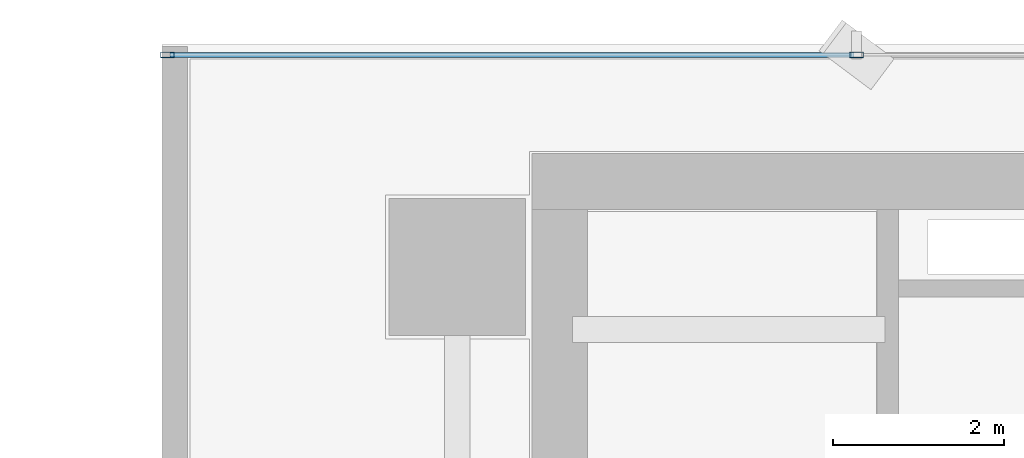
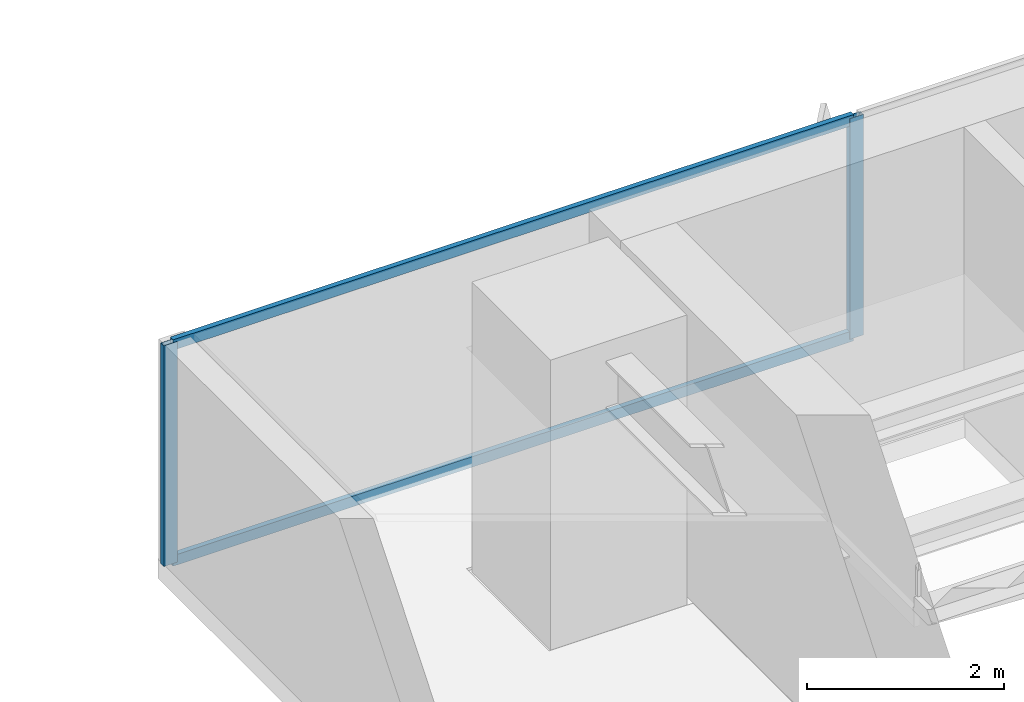
# One storey, part 20 of 37: 4 members, 1 element without a shape of its own.
"""IFC4 building model written with IfcOpenShell, lengths in metres."""

from ifc_helpers import new_model, si_unit, direction, frame, origin, origin_2d, place, context, subcontext, project, spatial, hollow_rectangle, extrude, source, transform, mapped, material, layer, layer_set, material_profile, profile_set, type_object, element, aggregate, save


model = new_model("IFC4")

# Units and contexts
model_context = context("Model", 3, precision=1e-05, world=origin(), true_north=direction((0.0, 1.0)))
body_context = subcontext(model_context, "Body", "Model", "MODEL_VIEW")
ifc_project = project(units=[si_unit("LENGTHUNIT", "METRE"), si_unit("AREAUNIT", "SQUARE_METRE"), si_unit("VOLUMEUNIT", "CUBIC_METRE"), si_unit("PLANEANGLEUNIT", "RADIAN"), si_unit("MASSUNIT", "GRAM", prefix="KILO")], contexts=[model_context])

# Site, building, storey
site_placement = place(None, origin())
site = spatial("IfcSite", under=ifc_project, at=site_placement, CompositionType="ELEMENT")
building_placement = place(site_placement, origin())
building = spatial("IfcBuilding", under=site, at=building_placement, Name="Sumidabori Civic Tower", CompositionType="ELEMENT")
storey_placement = place(building_placement, frame((0.0, 0.0, 95.60009765625)))
storey = spatial("IfcBuildingStorey", under=building, at=storey_placement, Name="L24", CompositionType="ELEMENT", Elevation=95.60009765625)

# Curtain wall, members
ifc_material = material(Name="Anodised Bronze Aluminium AW-6063-T6", Category="aluminium")
ifc_layer = layer(ifc_material, 0.179931640625, Name="Anodised Bronze Aluminium AW-6063-T6")
ifc_layer_set = layer_set([ifc_layer], Name="Anodised Bronze Aluminium AW-6063-T6")
curtain_wall_type = type_object("IfcCurtainWallType", Name="CW-SYS-3", PredefinedType="NOTDEFINED", material=ifc_layer_set)
curtain_wall_placement = place(storey_placement, origin())
curtain_wall = element("IfcCurtainWall", 1, at=curtain_wall_placement, inside=storey, type_object=curtain_wall_type, Name="Curtain Wall CW:L24:R07", PredefinedType="NOTDEFINED")
ifc_material_profile_1 = material_profile(ifc_material, hollow_rectangle(XDim=0.06494140625, YDim=0.159912109375, WallThickness=0.0048828125, at=origin_2d()), Name="ALU MULLION 160x65")
ifc_profile_set_1 = profile_set([ifc_material_profile_1], Name="Anodised Bronze Aluminium AW-6063-T6")
member_type_1 = type_object("IfcMemberType", Name="CW-MUL-160", PredefinedType="MULLION", material=ifc_profile_set_1)
shared_shape_1 = source(origin(), body_context, "Body", "SweptSolid", [
    extrude(hollow_rectangle(XDim=0.06494140625, YDim=0.159912109375, WallThickness=0.0048828125, at=origin_2d()), origin(), (0.0, 0.0, 1.0), 2.739990234375),
])
member_1_placement = place(storey_placement, frame((-12.132080078125, 25.280029296875, 0.0), z_axis=(0.0, 0.0, 1.0), x_axis=(0.0, -1.0, 0.0)))
member_1 = element("IfcMember", 2, at=member_1_placement, type_object=member_type_1, Name="CW-3 mullion 5", PredefinedType="MULLION", context=body_context, shape_type="MappedRepresentation", body=[
    mapped(shared_shape_1, transform((0.0, 0.0, 0.0), x_axis=(1.0, 0.0, 0.0), y_axis=(0.0, 1.0, 0.0), z_axis=(0.0, 0.0, 1.0), scale=1.0)),
])
member_2_placement = place(storey_placement, frame((-20.1875, 25.280029296875, 0.0), z_axis=(0.0, 0.0, 1.0), x_axis=(0.0, -1.0, 0.0)))
member_2 = element("IfcMember", 3, at=member_2_placement, type_object=member_type_1, Name="CW-3 mullion 6", PredefinedType="MULLION", context=body_context, shape_type="MappedRepresentation", body=[
    mapped(shared_shape_1, transform((0.0, 0.0, 0.0), x_axis=(1.0, 0.0, 0.0), y_axis=(0.0, 1.0, 0.0), z_axis=(0.0, 0.0, 1.0), scale=1.0)),
])
ifc_material_profile_2 = material_profile(ifc_material, hollow_rectangle(XDim=0.06005859375, YDim=0.1298828125, WallThickness=0.0048828125, at=origin_2d()), Name="ALU TRANSOM 130x60")
ifc_profile_set_2 = profile_set([ifc_material_profile_2], Name="Anodised Bronze Aluminium AW-6063-T6")
member_type_2 = type_object("IfcMemberType", Name="CW-TRN-130", PredefinedType="USERDEFINED", material=ifc_profile_set_2)
shared_shape_2 = source(origin(), body_context, "Body", "SweptSolid", [
    extrude(hollow_rectangle(XDim=0.06005859375, YDim=0.1298828125, WallThickness=0.0048828125, at=origin_2d()), origin(), (0.0, 0.0, 1.0), 7.990478515625),
])
member_3_placement = place(storey_placement, frame((-12.16455078125, 25.280029296875, 0.02978515625), z_axis=(-1.0, 0.0, 0.0), x_axis=(0.0, -1.0, 0.0)))
member_3 = element("IfcMember", 4, at=member_3_placement, type_object=member_type_2, Name="CW-3 transom 5.1", ObjectType="TRANSOM", PredefinedType="USERDEFINED", context=body_context, shape_type="MappedRepresentation", body=[
    mapped(shared_shape_2, transform((0.0, 0.0, 0.0), x_axis=(1.0, 0.0, 0.0), y_axis=(0.0, 1.0, 0.0), z_axis=(0.0, 0.0, 1.0), scale=1.0)),
])
member_4_placement = place(storey_placement, frame((-12.16455078125, 25.280029296875, 2.7099609375), z_axis=(-1.0, 0.0, 0.0), x_axis=(0.0, -1.0, 0.0)))
member_4 = element("IfcMember", 5, at=member_4_placement, type_object=member_type_2, Name="CW-3 transom 5.2", ObjectType="TRANSOM", PredefinedType="USERDEFINED", context=body_context, shape_type="MappedRepresentation", body=[
    mapped(shared_shape_2, transform((0.0, 0.0, 0.0), x_axis=(1.0, 0.0, 0.0), y_axis=(0.0, 1.0, 0.0), z_axis=(0.0, 0.0, 1.0), scale=1.0)),
])
aggregate(curtain_wall, [member_1, member_2, member_3, member_4])

save(model, "model.ifc")
